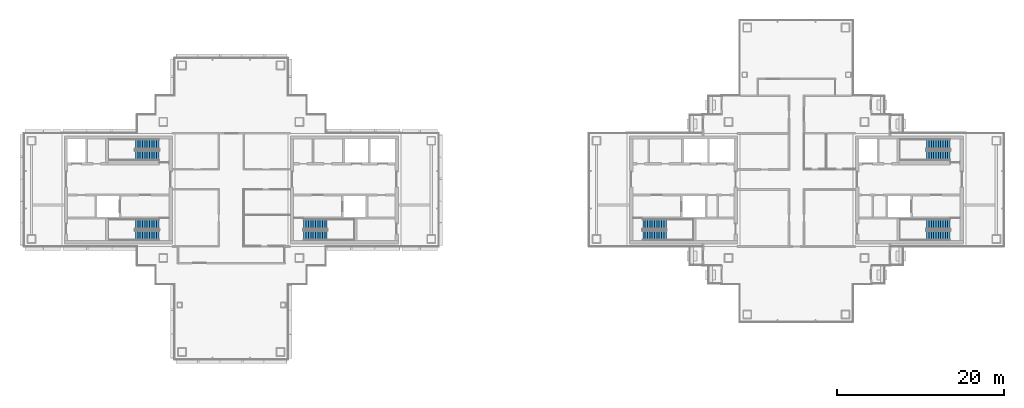
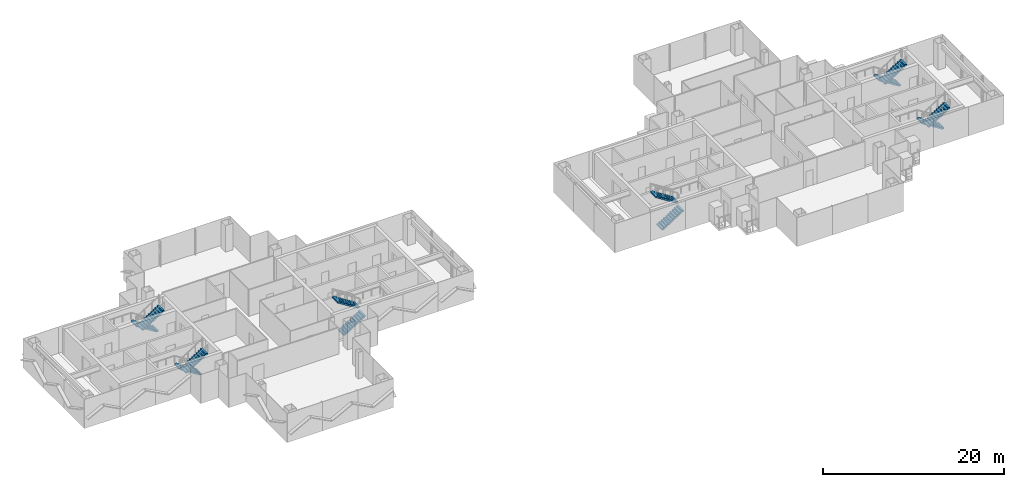
# One storey, part 13 of 17: 12 stair flights, 6 elements without a shape of their own.
"""IFC4 building model written with IfcOpenShell, lengths in metres."""

import ifcopenshell
import ifcopenshell.guid

model = None  # the IFC model being written
_history = None  # IfcOwnerHistory: only IFC2X3 demands one
_inside = {}  # id of a spatial element -> (the spatial element, [elements in it])
_under = {}  # id of a project, library or spatial element -> (it, [spatial elements below it])
_declared = {}  # id of a project -> (the project, [libraries it declares])
_typed = {}  # id of a type object -> (the type object, [elements of that type])
_made_of = {}  # id of a material, layer set ... -> (it, [elements and type objects made of it])


def new_model(schema):
    """Start an empty IFC model of exactly this schema.

    Asked for "IFC4X3", IfcOpenShell would pick the latest addendum, in which some entities
    have other attributes; the version numbers below select the first issue.
    IFC2X3 requires an IfcOwnerHistory on every rooted entity: one is made here for all.
    """
    global model, _history
    if schema == "IFC4X3":
        model = ifcopenshell.file(schema_version=(4, 3, 0, 0))
    else:
        model = ifcopenshell.file(schema=schema)
    _inside.clear()
    _under.clear()
    _declared.clear()
    _typed.clear()
    _made_of.clear()
    _history = None
    if model.schema == "IFC2X3":
        org = make("IfcOrganization", Name="unknown")
        user = make(
            "IfcPersonAndOrganization",
            ThePerson=make("IfcPerson", FamilyName="unknown"),
            TheOrganization=org,
        )
        app = make(
            "IfcApplication",
            ApplicationDeveloper=org,
            Version="unknown",
            ApplicationFullName="unknown",
            ApplicationIdentifier="unknown",
        )
        _history = make(
            "IfcOwnerHistory",
            OwningUser=user,
            OwningApplication=app,
            ChangeAction="ADDED",
            CreationDate=0,
        )
    return model


def make(cls, **values):
    """One entity of the class cls with the attributes given. An attribute that is None is left unset."""
    return model.create_entity(
        cls, **{name: value for name, value in values.items() if value is not None}
    )


def rooted(cls, **values):
    """An entity with a GlobalId (a new one), such as an element, a storey or a relation."""
    return make(cls, GlobalId=ifcopenshell.guid.new(), OwnerHistory=_history, **values)


def si_unit(unit_type, name, prefix=None):
    """IfcSIUnit, for example si_unit("LENGTHUNIT", "METRE", prefix="MILLI")."""
    return make("IfcSIUnit", UnitType=unit_type, Prefix=prefix, Name=name)


def assignment(units):
    """IfcUnitAssignment: the units of a project."""
    return None if units is None else make("IfcUnitAssignment", Units=units)


def point(xyz):
    """IfcCartesianPoint."""
    return None if xyz is None else make("IfcCartesianPoint", Coordinates=xyz)


def direction(xyz):
    """IfcDirection."""
    return None if xyz is None else make("IfcDirection", DirectionRatios=xyz)


def frame(location, z_axis=None, x_axis=None):
    """IfcAxis2Placement3D, a coordinate frame: its origin and axes. An axis left out is left unset."""
    return make(
        "IfcAxis2Placement3D",
        Location=point(location),
        Axis=direction(z_axis),
        RefDirection=direction(x_axis),
    )


def origin():
    """The frame at (0, 0, 0) with its axes left unset."""
    return frame((0.0, 0.0, 0.0))


def place(relative_to, where):
    """IfcLocalPlacement: puts the frame where relative to a parent placement (None: the world)."""
    return make(
        "IfcLocalPlacement", PlacementRelTo=relative_to, RelativePlacement=where
    )


def context(
    kind, dimensions, precision=None, world=None, true_north=None, identifier=None
):
    """IfcGeometricRepresentationContext, for example the 3D "Model" context."""
    return make(
        "IfcGeometricRepresentationContext",
        ContextIdentifier=identifier,
        ContextType=kind,
        CoordinateSpaceDimension=dimensions,
        Precision=precision,
        WorldCoordinateSystem=world,
        TrueNorth=true_north,
    )


def subcontext(parent, identifier, kind, view, scale=None):
    """IfcGeometricRepresentationSubContext, for example "Body" below "Model"."""
    return make(
        "IfcGeometricRepresentationSubContext",
        ContextIdentifier=identifier,
        ContextType=kind,
        ParentContext=parent,
        TargetScale=scale,
        TargetView=view,
    )


def project(units=None, contexts=None):
    """IfcProject with its units and contexts."""
    return rooted(
        "IfcProject",
        Name="project",
        RepresentationContexts=contexts,
        UnitsInContext=assignment(units),
    )


def spatial(cls, under=None, at=None, **own):
    """A site, building, storey or space (cls), placed at a placement, below another one or the project."""
    s = rooted(cls, ObjectPlacement=at, **own)
    if under is not None:
        _under.setdefault(under.id(), (under, []))[1].append(s)
    return s


def polyline(points):
    """IfcPolyline through the points."""
    return make("IfcPolyline", Points=[point(p) for p in points])


def outline(outer, holes=None, kind="AREA"):
    """IfcArbitraryClosedProfileDef: a profile drawn as a closed curve; with holes, ...WithVoids."""
    if holes is None:
        return make("IfcArbitraryClosedProfileDef", ProfileType=kind, OuterCurve=outer)
    return make(
        "IfcArbitraryProfileDefWithVoids",
        ProfileType=kind,
        OuterCurve=outer,
        InnerCurves=holes,
    )


def extrude(swept, where, along, depth):
    """IfcExtrudedAreaSolid: the profile swept, set in the frame where, extruded along a direction by depth."""
    return make(
        "IfcExtrudedAreaSolid",
        SweptArea=swept,
        Position=where,
        ExtrudedDirection=direction(along),
        Depth=depth,
    )


def shape(context_of_items, identifier, shape_type, items):
    """IfcShapeRepresentation: the items that make up one representation, for example the "Body"."""
    return make(
        "IfcShapeRepresentation",
        ContextOfItems=context_of_items,
        RepresentationIdentifier=identifier,
        RepresentationType=shape_type,
        Items=items,
    )


def material(Name=None, Category=None):
    """IfcMaterial."""
    return make("IfcMaterial", Name=Name, Category=Category)


def made_of(thing, what):
    """Note that an element or type object is made of a material, layer set ...; save() writes the relation."""
    if what is not None:
        _made_of.setdefault(what.id(), (what, []))[1].append(thing)
    return thing


def type_object(cls, material=None, **own):
    """A type object (cls), such as IfcWallType, which elements share."""
    return made_of(rooted(cls, **own), material)


def element(
    cls,
    number,
    at=None,
    inside=None,
    cuts=None,
    type_object=None,
    material=None,
    context=None,
    identifier="Body",
    shape_type=None,
    held_by="IfcProductDefinitionShape",
    body=None,
    shapes=None,
    **own,
):
    """One element of the class cls, such as IfcWall. Its Tag is "e" and its number.

    at: its placement. inside: the storey or other place that contains it. cuts: it is an
    opening in that element (IfcRelVoidsElement). A single representation is given by context,
    identifier, shape_type and body (its items); several are given by shapes. held_by: the class
    of the entity that holds the representations. save() writes the other relations.
    """
    e = rooted(cls, Tag="e%d" % number, ObjectPlacement=at, **own)
    if body is not None:
        shapes = [shape(context, identifier, shape_type, body)]
    if shapes is not None:
        e.Representation = make(held_by, Representations=shapes)
    if inside is not None:
        _inside.setdefault(inside.id(), (inside, []))[1].append(e)
    if cuts is not None:
        rooted(
            "IfcRelVoidsElement", RelatingBuildingElement=cuts, RelatedOpeningElement=e
        )
    if type_object is not None:
        _typed.setdefault(type_object.id(), (type_object, []))[1].append(e)
    return made_of(e, material)


def aggregate(whole, parts):
    """IfcRelAggregates: a whole, such as a stair, and the parts it consists of."""
    return rooted("IfcRelAggregates", RelatingObject=whole, RelatedObjects=parts)


def save(model, path):
    """Write the relations noted so far, then the file.

    IfcRelAggregates (storeys below a building ...), IfcRelContainedInSpatialStructure (elements
    in a storey), IfcRelDefinesByType, IfcRelAssociatesMaterial and IfcRelDeclares: one each for
    every whole, place, type object, material and project.
    """
    for whole, parts in _under.values():
        aggregate(whole, parts)
    for where, things in _inside.values():
        rooted(
            "IfcRelContainedInSpatialStructure",
            RelatedElements=things,
            RelatingStructure=where,
        )
    for kind, things in _typed.values():
        rooted("IfcRelDefinesByType", RelatedObjects=things, RelatingType=kind)
    for what, things in _made_of.values():
        rooted("IfcRelAssociatesMaterial", RelatedObjects=things, RelatingMaterial=what)
    for by, libraries in _declared.values():
        rooted("IfcRelDeclares", RelatingContext=by, RelatedDefinitions=libraries)
    model.write(path)


model = new_model("IFC4")

# Units and contexts
model_context = context("Model", 3, precision=1e-05, world=origin(), true_north=direction((0.0, 1.0)))
body_context = subcontext(model_context, "Body", "Model", "MODEL_VIEW")
ifc_project = project(units=[si_unit("LENGTHUNIT", "METRE"), si_unit("AREAUNIT", "SQUARE_METRE"), si_unit("VOLUMEUNIT", "CUBIC_METRE"), si_unit("PLANEANGLEUNIT", "RADIAN"), si_unit("MASSUNIT", "GRAM", prefix="KILO")], contexts=[model_context])

# Site, building, storey
site_placement = place(None, origin())
site = spatial("IfcSite", under=ifc_project, at=site_placement, CompositionType="ELEMENT")
building_placement = place(site_placement, origin())
building = spatial("IfcBuilding", under=site, at=building_placement, Name="Shamsa Quay Exchange Towers", CompositionType="ELEMENT")
storey_placement = place(building_placement, frame((0.0, 0.0, 198.300048828125)))
storey = spatial("IfcBuildingStorey", under=building, at=storey_placement, Name="L47", CompositionType="ELEMENT", Elevation=198.300048828125)

# Stair, stair flights
ifc_material = material(Name="Concrete C40/50", Category="concrete")
stair_type = type_object("IfcStairType", Name="EXIT STAIR 22 RISERS 177 MM", PredefinedType="HALF_TURN_STAIR", material=ifc_material)
stair_1_placement = place(storey_placement, origin())
stair_1 = element("IfcStair", 1, at=stair_1_placement, inside=storey, type_object=stair_type, Name="L47 Exit stair ST1", PredefinedType="HALF_TURN_STAIR")
stair_flight_type = type_object("IfcStairFlightType", Name="EXIT STAIR FLIGHT 11 RISERS 177 MM", PredefinedType="STRAIGHT", material=ifc_material)
stair_flight_1_placement = place(storey_placement, frame((-25.10009765625, -5.449951171875, 0.0)))
stair_flight_1 = element("IfcStairFlight", 2, at=stair_flight_1_placement, type_object=stair_flight_type, Name="ST1 flight 1", NumberOfRisers=11, NumberOfTreads=10, PredefinedType="STRAIGHT", RiserHeight=0.177272727, TreadLength=0.28, context=body_context, shape_type="SweptSolid", body=[
    extrude(outline(polyline([(0.0, 0.0), (0.0, 0.17724609375), (0.280029296875, 0.17724609375), (0.280029296875, 0.3544921875), (0.56005859375, 0.3544921875), (0.56005859375, 0.53173828125), (0.840087890625, 0.53173828125), (0.840087890625, 0.708984375), (1.1201171875, 0.708984375), (1.1201171875, 0.886474609375), (1.39990234375, 0.886474609375), (1.39990234375, 1.063720703125), (1.679931640625, 1.063720703125), (1.679931640625, 1.240966796875), (1.9599609375, 1.240966796875), (1.9599609375, 1.418212890625), (2.239990234375, 1.418212890625), (2.239990234375, 1.595458984375), (2.52001953125, 1.595458984375), (2.52001953125, 1.772705078125), (2.800048828125, 1.772705078125), (2.800048828125, 1.949951171875), (2.800048828125, 1.607177734375), (0.261474609375, 0.0), (0.0, 0.0)])), frame((0.0, 0.60009765625, 0.0), z_axis=(0.0, -1.0, 0.0), x_axis=(1.0, 0.0, 0.0)), (0.0, 0.0, 1.0), 1.199951171875),
])
stair_flight_2_placement = place(storey_placement, frame((-22.300048828125, -4.10009765625, 1.949951171875), z_axis=(0.0, 0.0, 1.0), x_axis=(-1.0, 0.0, 0.0)))
stair_flight_2 = element("IfcStairFlight", 3, at=stair_flight_2_placement, type_object=stair_flight_type, Name="ST1 flight 2", NumberOfRisers=11, NumberOfTreads=10, PredefinedType="STRAIGHT", RiserHeight=0.177272727, TreadLength=0.28, context=body_context, shape_type="SweptSolid", body=[
    extrude(outline(polyline([(0.0, 0.0), (0.0, 0.17724609375), (0.280029296875, 0.17724609375), (0.280029296875, 0.3544921875), (0.56005859375, 0.3544921875), (0.56005859375, 0.53173828125), (0.840087890625, 0.53173828125), (0.840087890625, 0.708984375), (1.1201171875, 0.708984375), (1.1201171875, 0.886474609375), (1.39990234375, 0.886474609375), (1.39990234375, 1.063720703125), (1.679931640625, 1.063720703125), (1.679931640625, 1.240966796875), (1.9599609375, 1.240966796875), (1.9599609375, 1.418212890625), (2.239990234375, 1.418212890625), (2.239990234375, 1.595458984375), (2.52001953125, 1.595458984375), (2.52001953125, 1.772705078125), (2.800048828125, 1.772705078125), (2.800048828125, 1.949951171875), (2.800048828125, 1.607177734375), (0.261474609375, 0.0), (0.0, 0.0)])), frame((0.0, 0.60009765625, 0.0), z_axis=(0.0, -1.0, 0.0), x_axis=(1.0, 0.0, 0.0)), (0.0, 0.0, 1.0), 1.199951171875),
])
aggregate(stair_1, [stair_flight_1, stair_flight_2])

stair_2_placement = place(storey_placement, origin())
stair_2 = element("IfcStair", 4, at=stair_2_placement, inside=storey, type_object=stair_type, Name="L47 Exit stair ST2", PredefinedType="HALF_TURN_STAIR")
stair_flight_3_placement = place(storey_placement, frame((-42.39990234375, -4.10009765625, 0.0), z_axis=(0.0, 0.0, 1.0), x_axis=(-1.0, 0.0, 0.0)))
stair_flight_3 = element("IfcStairFlight", 5, at=stair_flight_3_placement, type_object=stair_flight_type, Name="ST2 flight 1", NumberOfRisers=11, NumberOfTreads=10, PredefinedType="STRAIGHT", RiserHeight=0.177272727, TreadLength=0.28, context=body_context, shape_type="SweptSolid", body=[
    extrude(outline(polyline([(0.0, 0.0), (0.0, 0.17724609375), (0.280029296875, 0.17724609375), (0.280029296875, 0.3544921875), (0.56005859375, 0.3544921875), (0.56005859375, 0.53173828125), (0.840087890625, 0.53173828125), (0.840087890625, 0.708984375), (1.1201171875, 0.708984375), (1.1201171875, 0.886474609375), (1.39990234375, 0.886474609375), (1.39990234375, 1.063720703125), (1.679931640625, 1.063720703125), (1.679931640625, 1.240966796875), (1.9599609375, 1.240966796875), (1.9599609375, 1.418212890625), (2.239990234375, 1.418212890625), (2.239990234375, 1.595458984375), (2.52001953125, 1.595458984375), (2.52001953125, 1.772705078125), (2.800048828125, 1.772705078125), (2.800048828125, 1.949951171875), (2.800048828125, 1.607177734375), (0.261474609375, 0.0), (0.0, 0.0)])), frame((0.0, 0.60009765625, 0.0), z_axis=(0.0, -1.0, 0.0), x_axis=(1.0, 0.0, 0.0)), (0.0, 0.0, 1.0), 1.199951171875),
])
stair_flight_4_placement = place(storey_placement, frame((-45.199951171875, -5.449951171875, 1.949951171875)))
stair_flight_4 = element("IfcStairFlight", 6, at=stair_flight_4_placement, type_object=stair_flight_type, Name="ST2 flight 2", NumberOfRisers=11, NumberOfTreads=10, PredefinedType="STRAIGHT", RiserHeight=0.177272727, TreadLength=0.28, context=body_context, shape_type="SweptSolid", body=[
    extrude(outline(polyline([(0.0, 0.0), (0.0, 0.17724609375), (0.280029296875, 0.17724609375), (0.280029296875, 0.3544921875), (0.56005859375, 0.3544921875), (0.56005859375, 0.53173828125), (0.840087890625, 0.53173828125), (0.840087890625, 0.708984375), (1.1201171875, 0.708984375), (1.1201171875, 0.886474609375), (1.39990234375, 0.886474609375), (1.39990234375, 1.063720703125), (1.679931640625, 1.063720703125), (1.679931640625, 1.240966796875), (1.9599609375, 1.240966796875), (1.9599609375, 1.418212890625), (2.239990234375, 1.418212890625), (2.239990234375, 1.595458984375), (2.52001953125, 1.595458984375), (2.52001953125, 1.772705078125), (2.800048828125, 1.772705078125), (2.800048828125, 1.949951171875), (2.800048828125, 1.607177734375), (0.261474609375, 0.0), (0.0, 0.0)])), frame((0.0, 0.60009765625, 0.0), z_axis=(0.0, -1.0, 0.0), x_axis=(1.0, 0.0, 0.0)), (0.0, 0.0, 1.0), 1.199951171875),
])
aggregate(stair_2, [stair_flight_3, stair_flight_4])

stair_3_placement = place(storey_placement, origin())
stair_3 = element("IfcStair", 7, at=stair_3_placement, inside=storey, type_object=stair_type, Name="L47 Exit stair ST3", PredefinedType="HALF_TURN_STAIR")
stair_flight_5_placement = place(storey_placement, frame((-42.39990234375, 5.449951171875, 0.0), z_axis=(0.0, 0.0, 1.0), x_axis=(-1.0, 0.0, 0.0)))
stair_flight_5 = element("IfcStairFlight", 8, at=stair_flight_5_placement, type_object=stair_flight_type, Name="ST3 flight 1", NumberOfRisers=11, NumberOfTreads=10, PredefinedType="STRAIGHT", RiserHeight=0.177272727, TreadLength=0.28, context=body_context, shape_type="SweptSolid", body=[
    extrude(outline(polyline([(0.0, 0.0), (0.0, 0.17724609375), (0.280029296875, 0.17724609375), (0.280029296875, 0.3544921875), (0.56005859375, 0.3544921875), (0.56005859375, 0.53173828125), (0.840087890625, 0.53173828125), (0.840087890625, 0.708984375), (1.1201171875, 0.708984375), (1.1201171875, 0.886474609375), (1.39990234375, 0.886474609375), (1.39990234375, 1.063720703125), (1.679931640625, 1.063720703125), (1.679931640625, 1.240966796875), (1.9599609375, 1.240966796875), (1.9599609375, 1.418212890625), (2.239990234375, 1.418212890625), (2.239990234375, 1.595458984375), (2.52001953125, 1.595458984375), (2.52001953125, 1.772705078125), (2.800048828125, 1.772705078125), (2.800048828125, 1.949951171875), (2.800048828125, 1.607177734375), (0.261474609375, 0.0), (0.0, 0.0)])), frame((0.0, 0.60009765625, 0.0), z_axis=(0.0, -1.0, 0.0), x_axis=(1.0, 0.0, 0.0)), (0.0, 0.0, 1.0), 1.199951171875),
])
stair_flight_6_placement = place(storey_placement, frame((-45.199951171875, 4.10009765625, 1.949951171875)))
stair_flight_6 = element("IfcStairFlight", 9, at=stair_flight_6_placement, type_object=stair_flight_type, Name="ST3 flight 2", NumberOfRisers=11, NumberOfTreads=10, PredefinedType="STRAIGHT", RiserHeight=0.177272727, TreadLength=0.28, context=body_context, shape_type="SweptSolid", body=[
    extrude(outline(polyline([(0.0, 0.0), (0.0, 0.17724609375), (0.280029296875, 0.17724609375), (0.280029296875, 0.3544921875), (0.56005859375, 0.3544921875), (0.56005859375, 0.53173828125), (0.840087890625, 0.53173828125), (0.840087890625, 0.708984375), (1.1201171875, 0.708984375), (1.1201171875, 0.886474609375), (1.39990234375, 0.886474609375), (1.39990234375, 1.063720703125), (1.679931640625, 1.063720703125), (1.679931640625, 1.240966796875), (1.9599609375, 1.240966796875), (1.9599609375, 1.418212890625), (2.239990234375, 1.418212890625), (2.239990234375, 1.595458984375), (2.52001953125, 1.595458984375), (2.52001953125, 1.772705078125), (2.800048828125, 1.772705078125), (2.800048828125, 1.949951171875), (2.800048828125, 1.607177734375), (0.261474609375, 0.0), (0.0, 0.0)])), frame((0.0, 0.60009765625, 0.0), z_axis=(0.0, -1.0, 0.0), x_axis=(1.0, 0.0, 0.0)), (0.0, 0.0, 1.0), 1.199951171875),
])
aggregate(stair_3, [stair_flight_5, stair_flight_6])

stair_4_placement = place(storey_placement, origin())
stair_4 = element("IfcStair", 10, at=stair_4_placement, inside=storey, type_object=stair_type, Name="L47 Exit stair ST4", PredefinedType="HALF_TURN_STAIR")
stair_flight_7_placement = place(storey_placement, frame((15.39990234375, -5.449951171875, 0.0)))
stair_flight_7 = element("IfcStairFlight", 11, at=stair_flight_7_placement, type_object=stair_flight_type, Name="ST4 flight 1", NumberOfRisers=11, NumberOfTreads=10, PredefinedType="STRAIGHT", RiserHeight=0.177272727, TreadLength=0.28, context=body_context, shape_type="SweptSolid", body=[
    extrude(outline(polyline([(0.0, 0.0), (0.0, 0.17724609375), (0.280029296875, 0.17724609375), (0.280029296875, 0.3544921875), (0.56005859375, 0.3544921875), (0.56005859375, 0.53173828125), (0.840087890625, 0.53173828125), (0.840087890625, 0.708984375), (1.1201171875, 0.708984375), (1.1201171875, 0.886474609375), (1.39990234375, 0.886474609375), (1.39990234375, 1.063720703125), (1.679931640625, 1.063720703125), (1.679931640625, 1.240966796875), (1.9599609375, 1.240966796875), (1.9599609375, 1.418212890625), (2.239990234375, 1.418212890625), (2.239990234375, 1.595458984375), (2.52001953125, 1.595458984375), (2.52001953125, 1.772705078125), (2.800048828125, 1.772705078125), (2.800048828125, 1.949951171875), (2.800048828125, 1.607177734375), (0.261474609375, 0.0), (0.0, 0.0)])), frame((0.0, 0.60009765625, 0.0), z_axis=(0.0, -1.0, 0.0), x_axis=(1.0, 0.0, 0.0)), (0.0, 0.0, 1.0), 1.199951171875),
])
stair_flight_8_placement = place(storey_placement, frame((18.199951171875, -4.10009765625, 1.949951171875), z_axis=(0.0, 0.0, 1.0), x_axis=(-1.0, 0.0, 0.0)))
stair_flight_8 = element("IfcStairFlight", 12, at=stair_flight_8_placement, type_object=stair_flight_type, Name="ST4 flight 2", NumberOfRisers=11, NumberOfTreads=10, PredefinedType="STRAIGHT", RiserHeight=0.177272727, TreadLength=0.28, context=body_context, shape_type="SweptSolid", body=[
    extrude(outline(polyline([(0.0, 0.0), (0.0, 0.17724609375), (0.280029296875, 0.17724609375), (0.280029296875, 0.3544921875), (0.56005859375, 0.3544921875), (0.56005859375, 0.53173828125), (0.840087890625, 0.53173828125), (0.840087890625, 0.708984375), (1.1201171875, 0.708984375), (1.1201171875, 0.886474609375), (1.39990234375, 0.886474609375), (1.39990234375, 1.063720703125), (1.679931640625, 1.063720703125), (1.679931640625, 1.240966796875), (1.9599609375, 1.240966796875), (1.9599609375, 1.418212890625), (2.239990234375, 1.418212890625), (2.239990234375, 1.595458984375), (2.52001953125, 1.595458984375), (2.52001953125, 1.772705078125), (2.800048828125, 1.772705078125), (2.800048828125, 1.949951171875), (2.800048828125, 1.607177734375), (0.261474609375, 0.0), (0.0, 0.0)])), frame((0.0, 0.60009765625, 0.0), z_axis=(0.0, -1.0, 0.0), x_axis=(1.0, 0.0, 0.0)), (0.0, 0.0, 1.0), 1.199951171875),
])
aggregate(stair_4, [stair_flight_7, stair_flight_8])

stair_5_placement = place(storey_placement, origin())
stair_5 = element("IfcStair", 13, at=stair_5_placement, inside=storey, type_object=stair_type, Name="L47 Exit stair ST5", PredefinedType="HALF_TURN_STAIR")
stair_flight_9_placement = place(storey_placement, frame((52.10009765625, -4.10009765625, 0.0), z_axis=(0.0, 0.0, 1.0), x_axis=(-1.0, 0.0, 0.0)))
stair_flight_9 = element("IfcStairFlight", 14, at=stair_flight_9_placement, type_object=stair_flight_type, Name="ST5 flight 1", NumberOfRisers=11, NumberOfTreads=10, PredefinedType="STRAIGHT", RiserHeight=0.177272727, TreadLength=0.28, context=body_context, shape_type="SweptSolid", body=[
    extrude(outline(polyline([(0.0, 0.0), (0.0, 0.17724609375), (0.280029296875, 0.17724609375), (0.280029296875, 0.3544921875), (0.56005859375, 0.3544921875), (0.56005859375, 0.53173828125), (0.840087890625, 0.53173828125), (0.840087890625, 0.708984375), (1.1201171875, 0.708984375), (1.1201171875, 0.886474609375), (1.39990234375, 0.886474609375), (1.39990234375, 1.063720703125), (1.679931640625, 1.063720703125), (1.679931640625, 1.240966796875), (1.9599609375, 1.240966796875), (1.9599609375, 1.418212890625), (2.239990234375, 1.418212890625), (2.239990234375, 1.595458984375), (2.52001953125, 1.595458984375), (2.52001953125, 1.772705078125), (2.800048828125, 1.772705078125), (2.800048828125, 1.949951171875), (2.800048828125, 1.607177734375), (0.261474609375, 0.0), (0.0, 0.0)])), frame((0.0, 0.60009765625, 0.0), z_axis=(0.0, -1.0, 0.0), x_axis=(1.0, 0.0, 0.0)), (0.0, 0.0, 1.0), 1.199951171875),
])
stair_flight_10_placement = place(storey_placement, frame((49.300048828125, -5.449951171875, 1.949951171875)))
stair_flight_10 = element("IfcStairFlight", 15, at=stair_flight_10_placement, type_object=stair_flight_type, Name="ST5 flight 2", NumberOfRisers=11, NumberOfTreads=10, PredefinedType="STRAIGHT", RiserHeight=0.177272727, TreadLength=0.28, context=body_context, shape_type="SweptSolid", body=[
    extrude(outline(polyline([(0.0, 0.0), (0.0, 0.17724609375), (0.280029296875, 0.17724609375), (0.280029296875, 0.3544921875), (0.56005859375, 0.3544921875), (0.56005859375, 0.53173828125), (0.840087890625, 0.53173828125), (0.840087890625, 0.708984375), (1.1201171875, 0.708984375), (1.1201171875, 0.886474609375), (1.39990234375, 0.886474609375), (1.39990234375, 1.063720703125), (1.679931640625, 1.063720703125), (1.679931640625, 1.240966796875), (1.9599609375, 1.240966796875), (1.9599609375, 1.418212890625), (2.239990234375, 1.418212890625), (2.239990234375, 1.595458984375), (2.52001953125, 1.595458984375), (2.52001953125, 1.772705078125), (2.800048828125, 1.772705078125), (2.800048828125, 1.949951171875), (2.800048828125, 1.607177734375), (0.261474609375, 0.0), (0.0, 0.0)])), frame((0.0, 0.60009765625, 0.0), z_axis=(0.0, -1.0, 0.0), x_axis=(1.0, 0.0, 0.0)), (0.0, 0.0, 1.0), 1.199951171875),
])
aggregate(stair_5, [stair_flight_9, stair_flight_10])

stair_6_placement = place(storey_placement, origin())
stair_6 = element("IfcStair", 16, at=stair_6_placement, inside=storey, type_object=stair_type, Name="L47 Exit stair ST6", PredefinedType="HALF_TURN_STAIR")
stair_flight_11_placement = place(storey_placement, frame((52.10009765625, 5.449951171875, 0.0), z_axis=(0.0, 0.0, 1.0), x_axis=(-1.0, 0.0, 0.0)))
stair_flight_11 = element("IfcStairFlight", 17, at=stair_flight_11_placement, type_object=stair_flight_type, Name="ST6 flight 1", NumberOfRisers=11, NumberOfTreads=10, PredefinedType="STRAIGHT", RiserHeight=0.177272727, TreadLength=0.28, context=body_context, shape_type="SweptSolid", body=[
    extrude(outline(polyline([(0.0, 0.0), (0.0, 0.17724609375), (0.280029296875, 0.17724609375), (0.280029296875, 0.3544921875), (0.56005859375, 0.3544921875), (0.56005859375, 0.53173828125), (0.840087890625, 0.53173828125), (0.840087890625, 0.708984375), (1.1201171875, 0.708984375), (1.1201171875, 0.886474609375), (1.39990234375, 0.886474609375), (1.39990234375, 1.063720703125), (1.679931640625, 1.063720703125), (1.679931640625, 1.240966796875), (1.9599609375, 1.240966796875), (1.9599609375, 1.418212890625), (2.239990234375, 1.418212890625), (2.239990234375, 1.595458984375), (2.52001953125, 1.595458984375), (2.52001953125, 1.772705078125), (2.800048828125, 1.772705078125), (2.800048828125, 1.949951171875), (2.800048828125, 1.607177734375), (0.261474609375, 0.0), (0.0, 0.0)])), frame((0.0, 0.60009765625, 0.0), z_axis=(0.0, -1.0, 0.0), x_axis=(1.0, 0.0, 0.0)), (0.0, 0.0, 1.0), 1.199951171875),
])
stair_flight_12_placement = place(storey_placement, frame((49.300048828125, 4.10009765625, 1.949951171875)))
stair_flight_12 = element("IfcStairFlight", 18, at=stair_flight_12_placement, type_object=stair_flight_type, Name="ST6 flight 2", NumberOfRisers=11, NumberOfTreads=10, PredefinedType="STRAIGHT", RiserHeight=0.177272727, TreadLength=0.28, context=body_context, shape_type="SweptSolid", body=[
    extrude(outline(polyline([(0.0, 0.0), (0.0, 0.17724609375), (0.280029296875, 0.17724609375), (0.280029296875, 0.3544921875), (0.56005859375, 0.3544921875), (0.56005859375, 0.53173828125), (0.840087890625, 0.53173828125), (0.840087890625, 0.708984375), (1.1201171875, 0.708984375), (1.1201171875, 0.886474609375), (1.39990234375, 0.886474609375), (1.39990234375, 1.063720703125), (1.679931640625, 1.063720703125), (1.679931640625, 1.240966796875), (1.9599609375, 1.240966796875), (1.9599609375, 1.418212890625), (2.239990234375, 1.418212890625), (2.239990234375, 1.595458984375), (2.52001953125, 1.595458984375), (2.52001953125, 1.772705078125), (2.800048828125, 1.772705078125), (2.800048828125, 1.949951171875), (2.800048828125, 1.607177734375), (0.261474609375, 0.0), (0.0, 0.0)])), frame((0.0, 0.60009765625, 0.0), z_axis=(0.0, -1.0, 0.0), x_axis=(1.0, 0.0, 0.0)), (0.0, 0.0, 1.0), 1.199951171875),
])
aggregate(stair_6, [stair_flight_11, stair_flight_12])

save(model, "model.ifc")
